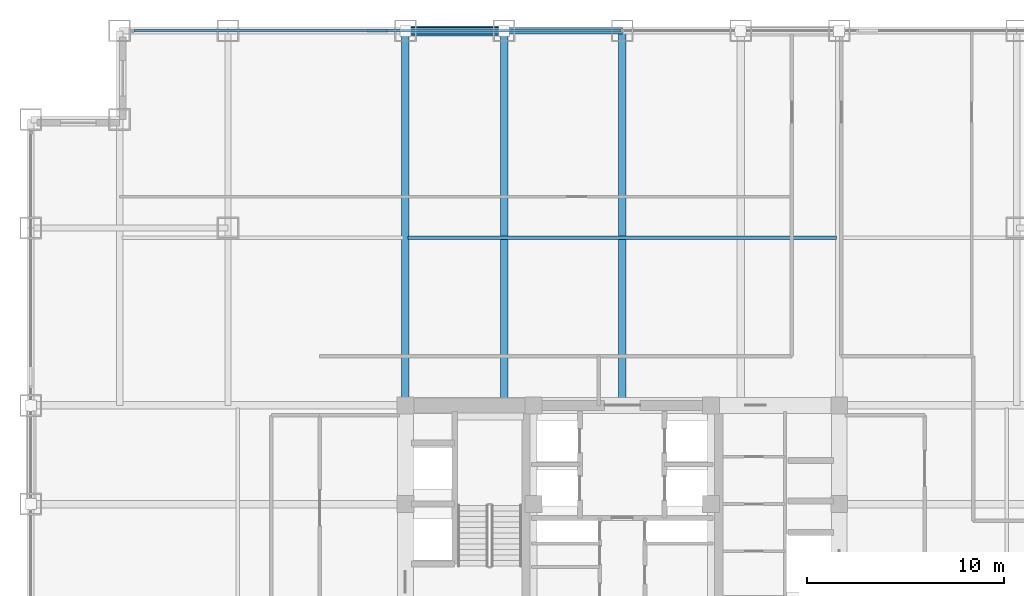
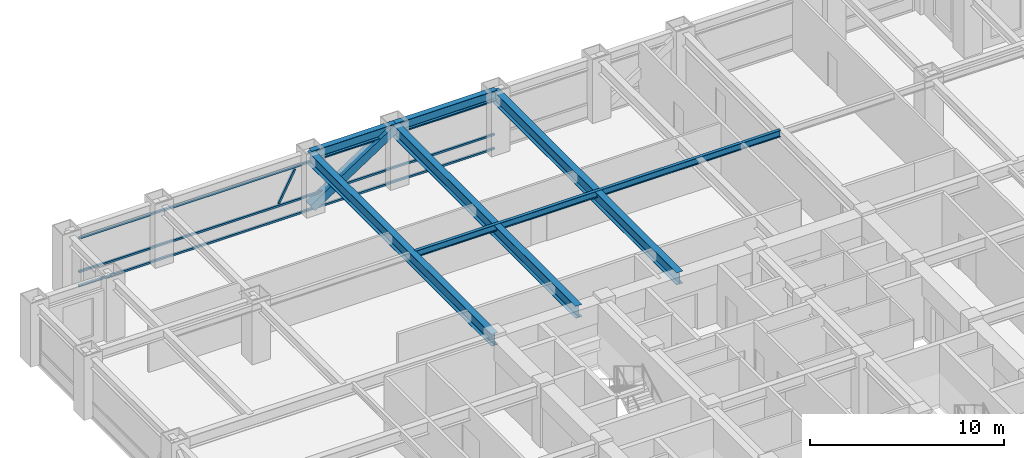
# One storey, part 15 of 25: 6 beams, 5 members, 1 element without a shape of its own.
"""IFC4 building model written with IfcOpenShell, lengths in metres."""

from ifc_helpers import new_model, si_unit, direction, frame, origin, origin_2d, place, context, subcontext, project, spatial, hollow_rectangle, i_section, extrude, source, transform, mapped, material, material_profile, profile_set, type_object, element, aggregate, save


model = new_model("IFC4")

# Units and contexts
model_context = context("Model", 3, precision=1e-05, world=origin(), true_north=direction((0.0, 1.0)))
body_context = subcontext(model_context, "Body", "Model", "MODEL_VIEW")
ifc_project = project(units=[si_unit("LENGTHUNIT", "METRE"), si_unit("AREAUNIT", "SQUARE_METRE"), si_unit("VOLUMEUNIT", "CUBIC_METRE"), si_unit("PLANEANGLEUNIT", "RADIAN"), si_unit("MASSUNIT", "GRAM", prefix="KILO")], contexts=[model_context])

# Site, building, storey
site_placement = place(None, origin())
site = spatial("IfcSite", under=ifc_project, at=site_placement, CompositionType="ELEMENT")
building_placement = place(site_placement, origin())
building = spatial("IfcBuilding", under=site, at=building_placement, Name="Khorayat Bourse Tower", CompositionType="ELEMENT")
storey_placement = place(building_placement, frame((0.0, 0.0, 199.10009765625)))
storey = spatial("IfcBuildingStorey", under=building, at=storey_placement, Name="L46", CompositionType="ELEMENT", Elevation=199.10009765625)

# Beams
ifc_material_1 = material(Name="Steel ASTM A992 Grade 50", Category="steel")
ifc_material_profile_1 = material_profile(ifc_material_1, i_section(OverallWidth=0.381103515625, OverallDepth=0.77294921875, WebThickness=0.0166015625, FlangeThickness=0.027587890625, FilletRadius=0.01806640625, at=origin_2d()), Name="W760X257")
ifc_profile_set_1 = profile_set([ifc_material_profile_1], Name="Steel ASTM A992 Grade 50")
beam_type_1 = type_object("IfcBeamType", Name="BM-GIRD-760", PredefinedType="BEAM", material=ifc_profile_set_1)
shared_shape_1 = source(origin(), body_context, "Body", "SweptSolid", [
    extrude(i_section(OverallWidth=0.381103515625, OverallDepth=0.77294921875, WebThickness=0.0166015625, FlangeThickness=0.027587890625, FilletRadius=0.01806640625, at=origin_2d()), origin(), (0.0, 0.0, 1.0), 19.0),
])
for number, where, z_axis, x_axis, name in (
    (1, (-11.0, 11.0, 3.393310546875), (0.0, 1.0, 0.0), (-1.0, 0.0, 0.0), "L46 BM-GIRD-760 BM-L46-RADY-064"),
    (2, (-6.0, 11.0, 3.393310546875), (0.0, 1.0, 0.0), (-1.0, 0.0, 0.0), "L46 BM-GIRD-760 BM-L46-RADY-066"),
    (3, (0.0, 11.0, 3.393310546875), (0.0, 1.0, 0.0), (-1.0, 0.0, 0.0), "L46 BM-GIRD-760 BM-L46-RADY-068"),
):
    element("IfcBeam", number, at=place(storey_placement, frame(where, z_axis=z_axis, x_axis=x_axis)), inside=storey, type_object=beam_type_1, Name=name, PredefinedType="BEAM", context=body_context, shape_type="MappedRepresentation", body=[
        mapped(shared_shape_1, transform((0.0, 0.0, 0.0), scale=1.0)),
    ])
ifc_material_profile_2 = material_profile(ifc_material_1, i_section(OverallWidth=0.180908203125, OverallDepth=0.4169921875, WebThickness=0.010986328125, FlangeThickness=0.018310546875, FilletRadius=0.011962890625, at=origin_2d()), Name="W410X85")
ifc_profile_set_2 = profile_set([ifc_material_profile_2], Name="Steel ASTM A992 Grade 50")
beam_type_2 = type_object("IfcBeamType", Name="BM-JOIST-410", PredefinedType="JOIST", material=ifc_profile_set_2)
shared_shape_2 = source(origin(), body_context, "Body", "SweptSolid", [
    extrude(i_section(OverallWidth=0.180908203125, OverallDepth=0.4169921875, WebThickness=0.010986328125, FlangeThickness=0.018310546875, FilletRadius=0.011962890625, at=origin_2d()), origin(), (0.0, 0.0, 1.0), 21.740234375),
])
beam_1_placement = place(storey_placement, frame((-10.8701171875, 19.5, 3.5712890625), z_axis=(1.0, 0.0, 0.0), x_axis=(0.0, 1.0, 0.0)))
element("IfcBeam", 4, at=beam_1_placement, inside=storey, type_object=beam_type_2, Name="L46 BM-JOIST-410 BM-L46-JSTX-100", PredefinedType="JOIST", context=body_context, shape_type="MappedRepresentation", body=[
    mapped(shared_shape_2, transform((0.0, 0.0, 0.0), scale=1.0)),
])
ifc_material_profile_3 = material_profile(ifc_material_1, i_section(OverallWidth=0.324951171875, OverallDepth=0.615966796875, WebThickness=0.013916015625, FlangeThickness=0.021484375, FilletRadius=0.01611328125, at=origin_2d()), Name="W610X174")
ifc_profile_set_3 = profile_set([ifc_material_profile_3], Name="Steel ASTM A992 Grade 50")
beam_type_3 = type_object("IfcBeamType", Name="BM-SPAN-610", PredefinedType="SPANDREL", material=ifc_profile_set_3)
shared_shape_3 = source(origin(), body_context, "Body", "SweptSolid", [
    extrude(i_section(OverallWidth=0.324951171875, OverallDepth=0.615966796875, WebThickness=0.013916015625, FlangeThickness=0.021484375, FilletRadius=0.01611328125, at=origin_2d()), origin(), (0.0, 0.0, 1.0), 5.0),
])
beam_2_placement = place(storey_placement, frame((-11.0, 30.0, 3.471923828125), z_axis=(1.0, 0.0, 0.0), x_axis=(0.0, 1.0, 0.0)))
element("IfcBeam", 5, at=beam_2_placement, inside=storey, type_object=beam_type_3, Name="L46 BM-SPAN-610 BM-L46-SPN-049", PredefinedType="SPANDREL", context=body_context, shape_type="MappedRepresentation", body=[
    mapped(shared_shape_3, transform((0.0, 0.0, 0.0), scale=1.0)),
])
shared_shape_4 = source(origin(), body_context, "Body", "SweptSolid", [
    extrude(i_section(OverallWidth=0.324951171875, OverallDepth=0.615966796875, WebThickness=0.013916015625, FlangeThickness=0.021484375, FilletRadius=0.01611328125, at=origin_2d()), origin(), (0.0, 0.0, 1.0), 6.0),
])
beam_3_placement = place(storey_placement, frame((-6.0, 30.0, 3.471923828125), z_axis=(1.0, 0.0, 0.0), x_axis=(0.0, 1.0, 0.0)))
element("IfcBeam", 6, at=beam_3_placement, inside=storey, type_object=beam_type_3, Name="L46 BM-SPAN-610 BM-L46-SPN-048", PredefinedType="SPANDREL", context=body_context, shape_type="MappedRepresentation", body=[
    mapped(shared_shape_4, transform((0.0, 0.0, 0.0), scale=1.0)),
])

# Member
ifc_material_2 = material(Name="Steel EN 10025-4 S460M", Category="steel")
ifc_material_profile_4 = material_profile(ifc_material_2, hollow_rectangle(XDim=0.5, YDim=0.5, WallThickness=0.028076171875, at=origin_2d()), Name="HSS 500x500x28")
ifc_profile_set_4 = profile_set([ifc_material_profile_4], Name="Steel EN 10025-4 S460M")
member_type_1 = type_object("IfcMemberType", Name="MBR-TUBE-500", PredefinedType="BRACE", material=ifc_profile_set_4)
shared_shape_5 = source(origin(), body_context, "Body", "SweptSolid", [
    extrude(hollow_rectangle(XDim=0.5, YDim=0.5, WallThickness=0.028076171875, at=origin_2d()), origin(), (0.0, 0.0, 1.0), 5.979736328125),
])
member_1_placement = place(storey_placement, frame((-11.0, 30.0, 0.25), z_axis=(0.836160261256, 0.0, 0.548485202623), x_axis=(0.0, 1.0, 0.0)))
element("IfcMember", 7, at=member_1_placement, inside=storey, type_object=member_type_1, Name="L46 Perimeter Tube Brace 03", PredefinedType="BRACE", context=body_context, shape_type="MappedRepresentation", body=[
    mapped(shared_shape_5, transform((0.0, 0.0, 0.0), scale=1.0)),
])

# Curtain wall, members
ifc_material_3 = material(Name="Aluminium EN AW-6063 T6", Category="aluminium")
curtain_wall_type = type_object("IfcCurtainWallType", Name="CW-SYS-03", PredefinedType="NOTDEFINED", material=ifc_material_3)
curtain_wall_placement = place(storey_placement, origin())
curtain_wall = element("IfcCurtainWall", 8, at=curtain_wall_placement, inside=storey, type_object=curtain_wall_type, Name="L46 Curtain Wall CW-L46-N1", PredefinedType="NOTDEFINED")
ifc_material_profile_5 = material_profile(ifc_material_3, hollow_rectangle(XDim=0.1201171875, YDim=0.1201171875, WallThickness=0.0048828125, at=origin_2d()), Name="ALU 120x120x5")
ifc_profile_set_5 = profile_set([ifc_material_profile_5], Name="Aluminium EN AW-6063 T6")
member_type_2 = type_object("IfcMemberType", Name="CWM-DIAG-120", PredefinedType="MULLION", material=ifc_profile_set_5)
shared_shape_6 = source(origin(), body_context, "Body", "SweptSolid", [
    extrude(hollow_rectangle(XDim=0.1201171875, YDim=0.1201171875, WallThickness=0.0048828125, at=origin_2d()), origin(), (0.0, 0.0, 1.0), 2.079345703125),
])
member_2_placement = place(storey_placement, frame((-12.904296875, 30.0, 1.08984375), z_axis=(0.465760949701, 0.0, 0.884910581773), x_axis=(0.0, 1.0, 0.0)))
member_2 = element("IfcMember", 9, at=member_2_placement, type_object=member_type_2, Name="CW-L46-N1 Faceted Diagonal Mullion 1", PredefinedType="MULLION", context=body_context, shape_type="MappedRepresentation", body=[
    mapped(shared_shape_6, transform((0.0, 0.0, 0.0), scale=1.0)),
])
ifc_material_profile_6 = material_profile(ifc_material_3, hollow_rectangle(XDim=0.1201171875, YDim=0.1201171875, WallThickness=0.0048828125, at=origin_2d()), Name="ALU 120x120x5")
ifc_profile_set_6 = profile_set([ifc_material_profile_6], Name="Aluminium EN AW-6063 T6")
member_type_3 = type_object("IfcMemberType", Name="CWT-HORZ-120", PredefinedType="USERDEFINED", material=ifc_profile_set_6)
shared_shape_7 = source(origin(), body_context, "Body", "SweptSolid", [
    extrude(hollow_rectangle(XDim=0.1201171875, YDim=0.1201171875, WallThickness=0.0048828125, at=origin_2d()), origin(), (0.0, 0.0, 1.0), 24.719970703125),
])
member_3_placement = place(storey_placement, frame((-24.780029296875, 30.0, 0.059814453125), z_axis=(1.0, 0.0, 0.0), x_axis=(0.0, 1.0, 0.0)))
member_3 = element("IfcMember", 10, at=member_3_placement, type_object=member_type_3, Name="CW-L46-N1 Horizontal Transom 1-1", ObjectType="TRANSOM", PredefinedType="USERDEFINED", context=body_context, shape_type="MappedRepresentation", body=[
    mapped(shared_shape_7, transform((0.0, 0.0, 0.0), scale=1.0)),
])
member_4_placement = place(storey_placement, frame((-24.780029296875, 30.0, 0.949951171875), z_axis=(1.0, 0.0, 0.0), x_axis=(0.0, 1.0, 0.0)))
member_4 = element("IfcMember", 11, at=member_4_placement, type_object=member_type_3, Name="CW-L46-N1 Horizontal Transom 1-2", ObjectType="TRANSOM", PredefinedType="USERDEFINED", context=body_context, shape_type="MappedRepresentation", body=[
    mapped(shared_shape_7, transform((0.0, 0.0, 0.0), scale=1.0)),
])
member_5_placement = place(storey_placement, frame((-24.780029296875, 30.0, 3.06982421875), z_axis=(1.0, 0.0, 0.0), x_axis=(0.0, 1.0, 0.0)))
member_5 = element("IfcMember", 12, at=member_5_placement, type_object=member_type_3, Name="CW-L46-N1 Horizontal Transom 1-3", ObjectType="TRANSOM", PredefinedType="USERDEFINED", context=body_context, shape_type="MappedRepresentation", body=[
    mapped(shared_shape_7, transform((0.0, 0.0, 0.0), scale=1.0)),
])
aggregate(curtain_wall, [member_3, member_4, member_5, member_2])

save(model, "model.ifc")
